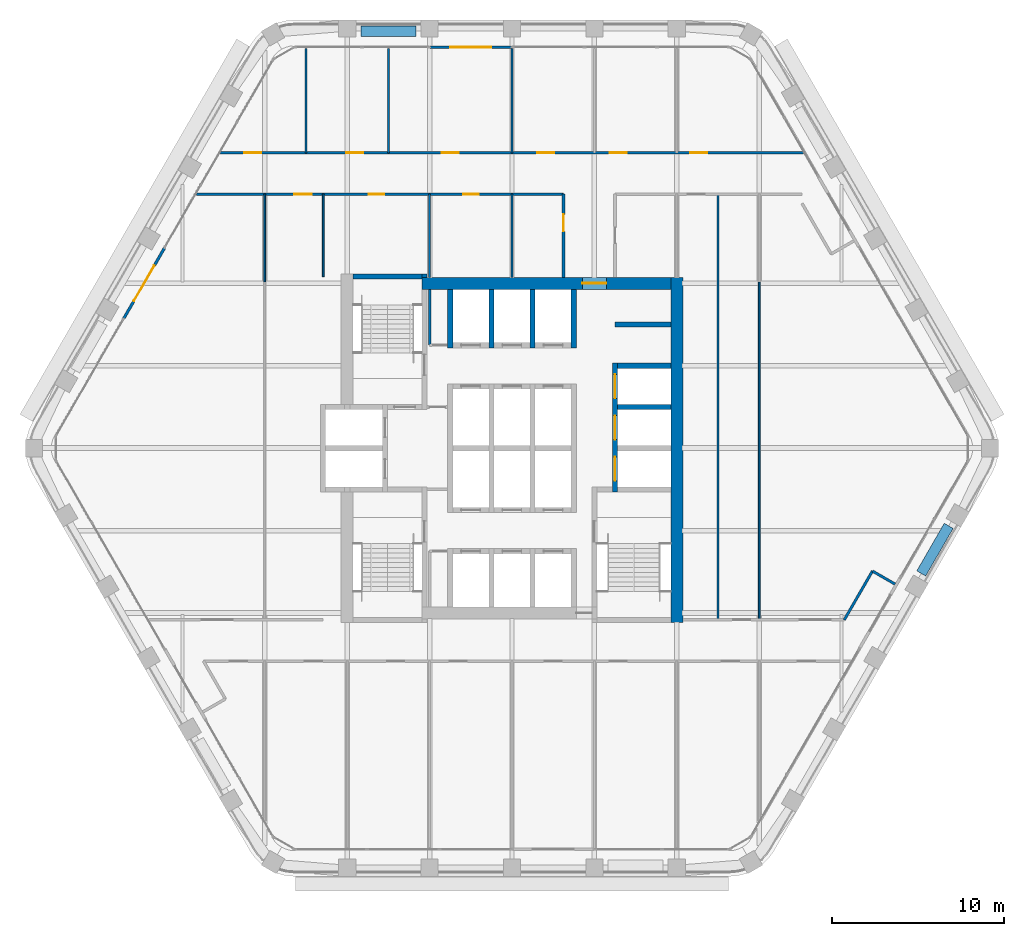
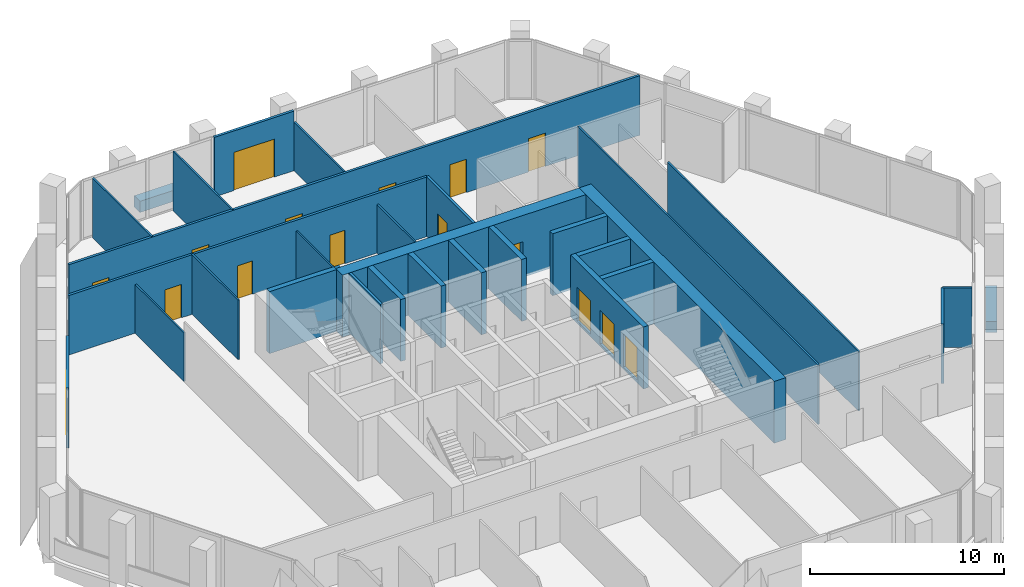
# One storey, part 11 of 15: 31 walls, 16 doors, 16 openings.
"""IFC4 building model written with IfcOpenShell, lengths in metres."""

from ifc_helpers import new_model, si_unit, direction, frame, frame_2d, origin, place, context, subcontext, project, spatial, rectangle, extrude, material, layer, layer_set, type_object, element, fill, save


model = new_model("IFC4")

# Units and contexts
model_context = context("Model", 3, precision=1e-05, world=origin(), true_north=direction((0.0, 1.0)))
body_context = subcontext(model_context, "Body", "Model", "MODEL_VIEW")
ifc_project = project(units=[si_unit("LENGTHUNIT", "METRE"), si_unit("AREAUNIT", "SQUARE_METRE"), si_unit("VOLUMEUNIT", "CUBIC_METRE"), si_unit("PLANEANGLEUNIT", "RADIAN"), si_unit("MASSUNIT", "GRAM", prefix="KILO")], contexts=[model_context])

# Site, building, storey
site_placement = place(None, origin())
site = spatial("IfcSite", under=ifc_project, at=site_placement, CompositionType="ELEMENT")
building_placement = place(site_placement, origin())
building = spatial("IfcBuilding", under=site, at=building_placement, Name="Kolab Exchange Tower", CompositionType="ELEMENT")
storey_placement = place(building_placement, frame((0.0, 0.0, 185.60009765625)))
storey = spatial("IfcBuildingStorey", under=building, at=storey_placement, Name="L39", CompositionType="ELEMENT", Elevation=185.60009765625)

# Wall, opening, door
ifc_material_1 = material(Name="Concrete C60/75", Category="concrete")
ifc_layer_1 = layer(ifc_material_1, 0.699951171875)
ifc_layer_set_1 = layer_set([ifc_layer_1], Name="Concrete C60/75")
wall_type_1 = type_object("IfcWallType", Name="CORE WALL 700 C60/75", PredefinedType="SHEAR", material=ifc_layer_set_1)
wall_1_placement = place(storey_placement, frame((-5.25, 9.60009765625, -0.150146484375), z_axis=(0.0, 0.0, 1.0), x_axis=(1.0, 0.0, 0.0)))
wall_1 = element("IfcWall", 1, at=wall_1_placement, inside=storey, type_object=wall_type_1, Name="wall/L39/core/031", PredefinedType="SHEAR", context=body_context, shape_type="SweptSolid", body=[
    extrude(rectangle(XDim=14.5, YDim=0.699951171875, at=frame_2d((7.25, 0.0))), origin(), (0.0, 0.0, 1.0), 3.900146484375),
])
opening_1_placement = place(wall_1_placement, frame((9.35009765625, 0.0, 0.14990234375)))
opening_1 = element("IfcOpeningElement", 2, at=opening_1_placement, cuts=wall_1, Name="Opening D5-010", PredefinedType="OPENING", context=body_context, shape_type="SweptSolid", body=[
    extrude(rectangle(XDim=1.39990234375, YDim=2.10009765625, at=frame_2d((0.699951171875, 1.050048828125))), frame((0.0, 0.35986328125, 0.0), z_axis=(0.0, -1.0, 0.0), x_axis=(1.0, 0.0, 0.0)), (0.0, 0.0, 1.0), 0.719970703125),
])
ifc_material_2 = material(Name="Steel S235", Category="steel")
door_type_1 = type_object("IfcDoorType", Name="CORE DOOR 1400 EI 120", OperationType="DOUBLE_DOOR_SINGLE_SWING", PredefinedType="DOOR", material=ifc_material_2)
door_1_placement = place(opening_1_placement, frame((1.39990234375, 0.0, 0.0), z_axis=(0.0, 0.0, 1.0), x_axis=(-1.0, 0.0, 0.0)))
door_1 = element("IfcDoor", 3, at=door_1_placement, inside=storey, type_object=door_type_1, Name="Core lobby door", OperationType="SINGLE_SWING_LEFT", OverallHeight=2.10009765625, OverallWidth=1.39990234375, PredefinedType="DOOR", context=body_context, shape_type="SweptSolid", body=[
    extrude(rectangle(XDim=1.39990234375, YDim=2.10009765625, at=frame_2d((0.699951171875, 1.050048828125))), frame((0.0, 0.02490234375, 0.0), z_axis=(0.0, -1.0, 0.0), x_axis=(1.0, 0.0, 0.0)), (0.0, 0.0, 1.0), 0.050048828125),
])
fill(opening_1, door_1)

# Wall
wall_2_placement = place(storey_placement, frame((9.60009765625, -10.14990234375, -0.150146484375), z_axis=(0.0, 0.0, 1.0), x_axis=(0.0, 1.0, 0.0)))
element("IfcWall", 4, at=wall_2_placement, inside=storey, type_object=wall_type_1, Name="wall/L39/core/058", PredefinedType="SHEAR", context=body_context, shape_type="SweptSolid", body=[
    extrude(rectangle(XDim=20.099853515625, YDim=0.699951171875, at=frame_2d((10.0498046875, 0.0))), origin(), (0.0, 0.0, 1.0), 3.900146484375),
])

# Wall, opening, door
ifc_material_3 = material(Name="Aluminium EN AW-6063 T6", Category="aluminium")
ifc_layer_2 = layer(ifc_material_3, 0.159912109375)
ifc_layer_set_2 = layer_set([ifc_layer_2], Name="Aluminium EN AW-6063 T6")
wall_type_2 = type_object("IfcWallType", Name="DOOR SURROUND WALL 160 ALUMINIUM FRAMED", PredefinedType="PARTITIONING", material=ifc_layer_set_2)
wall_3_placement = place(storey_placement, frame((-4.77001953125, 23.361572265625, 0.0), z_axis=(0.0, 0.0, 1.0), x_axis=(1.0, 0.0, 0.0)))
wall_3 = element("IfcWall", 5, at=wall_3_placement, inside=storey, type_object=wall_type_2, Name="Door surround wall", PredefinedType="PARTITIONING", context=body_context, shape_type="SweptSolid", body=[
    extrude(rectangle(XDim=4.739990234375, YDim=0.159912109375, at=frame_2d((2.3701171875, 0.0))), origin(), (0.0, 0.0, 1.0), 3.75),
])
opening_2_placement = place(wall_3_placement, frame((1.169921875, 0.0, 0.0)))
opening_2 = element("IfcOpeningElement", 6, at=opening_2_placement, cuts=wall_3, Name="Opening GD1-064", PredefinedType="OPENING", context=body_context, shape_type="SweptSolid", body=[
    extrude(rectangle(XDim=2.39990234375, YDim=2.39990234375, at=frame_2d((1.199951171875, 1.199951171875))), frame((0.0, 0.08984375, 0.0), z_axis=(0.0, -1.0, 0.0), x_axis=(1.0, 0.0, 0.0)), (0.0, 0.0, 1.0), 0.179931640625),
])
door_type_2 = type_object("IfcDoorType", Name="LOGGIA SLIDING GLASS DOOR 2400 X 2400", OperationType="DOUBLE_DOOR_SINGLE_SWING", PredefinedType="DOOR", material=ifc_material_3)
door_2_placement = place(opening_2_placement, origin())
door_2 = element("IfcDoor", 7, at=door_2_placement, inside=storey, type_object=door_type_2, Name="Loggia door", OperationType="DOUBLE_DOOR_SLIDING", OverallHeight=2.39990234375, OverallWidth=2.39990234375, PredefinedType="DOOR", context=body_context, shape_type="SweptSolid", body=[
    extrude(rectangle(XDim=2.39990234375, YDim=2.39990234375, at=frame_2d((1.199951171875, 1.199951171875))), frame((0.0, 0.02490234375, 0.0), z_axis=(0.0, -1.0, 0.0), x_axis=(1.0, 0.0, 0.0)), (0.0, 0.0, 1.0), 0.050048828125),
])
fill(opening_2, door_2)

wall_4_placement = place(storey_placement, frame((-22.61669921875, 7.5498046875, 0.0), z_axis=(0.0, 0.0, 1.0), x_axis=(0.5000167099, 0.866015756104, 0.0)))
wall_4 = element("IfcWall", 8, at=wall_4_placement, inside=storey, type_object=wall_type_2, Name="Door surround wall", PredefinedType="PARTITIONING", context=body_context, shape_type="SweptSolid", body=[
    extrude(rectangle(XDim=4.739990234375, YDim=0.159912109375, at=frame_2d((2.3701171875, 0.0))), origin(), (0.0, 0.0, 1.0), 3.75),
])
opening_3_placement = place(wall_4_placement, frame((1.169921875, 0.0, 0.0)))
opening_3 = element("IfcOpeningElement", 9, at=opening_3_placement, cuts=wall_4, Name="Opening GD1-069", PredefinedType="OPENING", context=body_context, shape_type="SweptSolid", body=[
    extrude(rectangle(XDim=2.39990234375, YDim=2.39990234375, at=frame_2d((1.199951171875, 1.199951171875))), frame((0.0, 0.08984375, 0.0), z_axis=(0.0, -1.0, 0.0), x_axis=(1.0, 0.0, 0.0)), (0.0, 0.0, 1.0), 0.179931640625),
])
door_3_placement = place(opening_3_placement, origin())
door_3 = element("IfcDoor", 10, at=door_3_placement, inside=storey, type_object=door_type_2, Name="Loggia door", OperationType="DOUBLE_DOOR_SLIDING", OverallHeight=2.39990234375, OverallWidth=2.39990234375, PredefinedType="DOOR", context=body_context, shape_type="SweptSolid", body=[
    extrude(rectangle(XDim=2.39990234375, YDim=2.39990234375, at=frame_2d((1.199951171875, 1.199951171875))), frame((0.0, 0.02490234375, 0.0), z_axis=(0.0, -1.0, 0.0), x_axis=(1.0, 0.0, 0.0)), (0.0, 0.0, 1.0), 0.050048828125),
])
fill(opening_3, door_3)

# Walls
ifc_material_4 = material(Name="Concrete C50/60", Category="concrete")
ifc_layer_3 = layer(ifc_material_4, 0.300048828125)
ifc_layer_set_3 = layer_set([ifc_layer_3], Name="Concrete C50/60")
wall_type_3 = type_object("IfcWallType", Name="LIFT SHAFT WALL 300 C50/60", PredefinedType="STANDARD", material=ifc_layer_set_3)
for number, where, z_axis, x_axis, name in (
    (11, (6.14990234375, 2.39990234375, -0.150146484375), (0.0, 0.0, 1.0), (1.0, 0.0, 0.0), "wall/L39/core/022"),
    (12, (6.14990234375, 4.800048828125, -0.150146484375), (0.0, 0.0, 1.0), (1.0, 0.0, 0.0), "wall/L39/core/026"),
):
    element("IfcWall", number, at=place(storey_placement, frame(where, z_axis=z_axis, x_axis=x_axis)), inside=storey, type_object=wall_type_3, Name=name, PredefinedType="STANDARD", context=body_context, shape_type="SweptSolid", body=[
        extrude(rectangle(XDim=3.10009765625, YDim=0.300048828125, at=frame_2d((1.550048828125, 0.0))), origin(), (0.0, 0.0, 1.0), 3.900146484375),
    ])
wall_5_placement = place(storey_placement, frame((6.0, 7.199951171875, -0.150146484375), z_axis=(0.0, 0.0, 1.0), x_axis=(1.0, 0.0, 0.0)))
element("IfcWall", 13, at=wall_5_placement, inside=storey, type_object=wall_type_3, Name="wall/L39/core/030", PredefinedType="STANDARD", context=body_context, shape_type="SweptSolid", body=[
    extrude(rectangle(XDim=3.25, YDim=0.300048828125, at=frame_2d((1.625, 0.0))), origin(), (0.0, 0.0, 1.0), 3.900146484375),
])
for number, where, z_axis, x_axis, name in (
    (14, (-3.60009765625, 5.85009765625, -0.150146484375), (0.0, 0.0, 1.0), (0.0, 1.0, 0.0), "wall/L39/core/045"),
    (15, (-1.199951171875, 5.85009765625, -0.150146484375), (0.0, 0.0, 1.0), (0.0, 1.0, 0.0), "wall/L39/core/048"),
    (16, (1.199951171875, 5.85009765625, -0.150146484375), (0.0, 0.0, 1.0), (0.0, 1.0, 0.0), "wall/L39/core/051"),
    (17, (3.60009765625, 5.85009765625, -0.150146484375), (0.0, 0.0, 1.0), (0.0, 1.0, 0.0), "wall/L39/core/054"),
):
    element("IfcWall", number, at=place(storey_placement, frame(where, z_axis=z_axis, x_axis=x_axis)), inside=storey, type_object=wall_type_3, Name=name, PredefinedType="STANDARD", context=body_context, shape_type="SweptSolid", body=[
        extrude(rectangle(XDim=3.39990234375, YDim=0.300048828125, at=frame_2d((1.699951171875, 0.0))), origin(), (0.0, 0.0, 1.0), 3.900146484375),
    ])

# Wall, openings, doors
wall_6_placement = place(storey_placement, frame((6.0, -2.550048828125, -0.150146484375), z_axis=(0.0, 0.0, 1.0), x_axis=(0.0, 1.0, 0.0)))
wall_6 = element("IfcWall", 18, at=wall_6_placement, inside=storey, type_object=wall_type_3, Name="wall/L39/core/057", PredefinedType="STANDARD", context=body_context, shape_type="SweptSolid", body=[
    extrude(rectangle(XDim=7.5, YDim=0.300048828125, at=frame_2d((3.75, 0.0))), origin(), (0.0, 0.0, 1.0), 3.900146484375),
])
opening_4_placement = place(wall_6_placement, frame((0.64990234375, 0.0, 0.14990234375)))
opening_4 = element("IfcOpeningElement", 19, at=opening_4_placement, cuts=wall_6, Name="Opening LD3-037", PredefinedType="OPENING", context=body_context, shape_type="SweptSolid", body=[
    extrude(rectangle(XDim=1.39990234375, YDim=2.10009765625, at=frame_2d((0.699951171875, 1.050048828125))), frame((0.0, 0.16015625, 0.0), z_axis=(0.0, -1.0, 0.0), x_axis=(1.0, 0.0, 0.0)), (0.0, 0.0, 1.0), 0.320068359375),
])
opening_5_placement = place(wall_6_placement, frame((3.050048828125, 0.0, 0.14990234375)))
opening_5 = element("IfcOpeningElement", 20, at=opening_5_placement, cuts=wall_6, Name="Opening LD3-038", PredefinedType="OPENING", context=body_context, shape_type="SweptSolid", body=[
    extrude(rectangle(XDim=1.39990234375, YDim=2.10009765625, at=frame_2d((0.699951171875, 1.050048828125))), frame((0.0, 0.16015625, 0.0), z_axis=(0.0, -1.0, 0.0), x_axis=(1.0, 0.0, 0.0)), (0.0, 0.0, 1.0), 0.320068359375),
])
opening_6_placement = place(wall_6_placement, frame((5.449951171875, 0.0, 0.14990234375)))
opening_6 = element("IfcOpeningElement", 21, at=opening_6_placement, cuts=wall_6, Name="Opening LD3-039", PredefinedType="OPENING", context=body_context, shape_type="SweptSolid", body=[
    extrude(rectangle(XDim=1.39990234375, YDim=2.10009765625, at=frame_2d((0.699951171875, 1.050048828125))), frame((0.0, 0.16015625, 0.0), z_axis=(0.0, -1.0, 0.0), x_axis=(1.0, 0.0, 0.0)), (0.0, 0.0, 1.0), 0.320068359375),
])
ifc_material_5 = material(Name="Stainless steel 316", Category="steel")
door_type_3 = type_object("IfcDoorType", Name="LANDING DOOR 1400 SERVICE", OperationType="DOUBLE_DOOR_SLIDING", PredefinedType="DOOR", material=ifc_material_5)
door_4_placement = place(opening_4_placement, origin())
door_4 = element("IfcDoor", 22, at=door_4_placement, inside=storey, type_object=door_type_3, Name="Landing door SV1", OperationType="DOUBLE_DOOR_SLIDING", OverallHeight=2.10009765625, OverallWidth=1.39990234375, PredefinedType="DOOR", context=body_context, shape_type="SweptSolid", body=[
    extrude(rectangle(XDim=1.39990234375, YDim=2.10009765625, at=frame_2d((0.699951171875, 1.050048828125))), frame((0.0, 0.02490234375, 0.0), z_axis=(0.0, -1.0, 0.0), x_axis=(1.0, 0.0, 0.0)), (0.0, 0.0, 1.0), 0.050048828125),
])
fill(opening_4, door_4)
door_5_placement = place(opening_5_placement, origin())
door_5 = element("IfcDoor", 23, at=door_5_placement, inside=storey, type_object=door_type_3, Name="Landing door SV2", OperationType="DOUBLE_DOOR_SLIDING", OverallHeight=2.10009765625, OverallWidth=1.39990234375, PredefinedType="DOOR", context=body_context, shape_type="SweptSolid", body=[
    extrude(rectangle(XDim=1.39990234375, YDim=2.10009765625, at=frame_2d((0.699951171875, 1.050048828125))), frame((0.0, 0.02490234375, 0.0), z_axis=(0.0, -1.0, 0.0), x_axis=(1.0, 0.0, 0.0)), (0.0, 0.0, 1.0), 0.050048828125),
])
fill(opening_5, door_5)
door_6_placement = place(opening_6_placement, origin())
door_6 = element("IfcDoor", 24, at=door_6_placement, inside=storey, type_object=door_type_3, Name="Landing door SV3", OperationType="DOUBLE_DOOR_SLIDING", OverallHeight=2.10009765625, OverallWidth=1.39990234375, PredefinedType="DOOR", context=body_context, shape_type="SweptSolid", body=[
    extrude(rectangle(XDim=1.39990234375, YDim=2.10009765625, at=frame_2d((0.699951171875, 1.050048828125))), frame((0.0, 0.02490234375, 0.0), z_axis=(0.0, -1.0, 0.0), x_axis=(1.0, 0.0, 0.0)), (0.0, 0.0, 1.0), 0.050048828125),
])
fill(opening_6, door_6)

# Walls
ifc_material_6 = material(Name="Gypsum board", Category="gypsum")
ifc_layer_4 = layer(ifc_material_6, 0.10009765625)
ifc_layer_set_4 = layer_set([ifc_layer_4], Name="Gypsum board")
wall_type_4 = type_object("IfcWallType", Name="PARTITION 100", PredefinedType="PARTITIONING", material=ifc_layer_set_4)
wall_7_placement = place(storey_placement, frame((14.39990234375, -10.0, 0.0), z_axis=(0.0, 0.0, 1.0), x_axis=(0.0, 1.0, 0.0)))
element("IfcWall", 25, at=wall_7_placement, inside=storey, type_object=wall_type_4, Name="Partition 001", PredefinedType="PARTITIONING", context=body_context, shape_type="SweptSolid", body=[
    extrude(rectangle(XDim=19.693603515625, YDim=0.10009765625, at=frame_2d((9.8466796875, 0.0))), origin(), (0.0, 0.0, 1.0), 3.75),
])
wall_8_placement = place(storey_placement, frame((12.0, -10.0, 0.0), z_axis=(0.0, 0.0, 1.0), x_axis=(0.0, 1.0, 0.0)))
element("IfcWall", 26, at=wall_8_placement, inside=storey, type_object=wall_type_4, Name="Partition 002", PredefinedType="PARTITIONING", context=body_context, shape_type="SweptSolid", body=[
    extrude(rectangle(XDim=24.800048828125, YDim=0.10009765625, at=frame_2d((12.39990234375, 0.0))), origin(), (0.0, 0.0, 1.0), 3.75),
])
wall_9_placement = place(storey_placement, frame((0.0, 9.949951171875, 0.0), z_axis=(0.0, 0.0, 1.0), x_axis=(0.0, 1.0, 0.0)))
element("IfcWall", 27, at=wall_9_placement, inside=storey, type_object=wall_type_4, Name="Partition 011", PredefinedType="PARTITIONING", context=body_context, shape_type="SweptSolid", body=[
    extrude(rectangle(XDim=4.85009765625, YDim=0.10009765625, at=frame_2d((2.425048828125, 0.0))), origin(), (0.0, 0.0, 1.0), 3.06591796875),
])
wall_10_placement = place(storey_placement, frame((0.0, 17.199951171875, 0.0), z_axis=(0.0, 0.0, 1.0), x_axis=(0.0, 1.0, 0.0)))
element("IfcWall", 28, at=wall_10_placement, inside=storey, type_object=wall_type_4, Name="Partition 012", PredefinedType="PARTITIONING", context=body_context, shape_type="SweptSolid", body=[
    extrude(rectangle(XDim=6.08154296875, YDim=0.10009765625, at=frame_2d((3.040771484375, 0.0))), origin(), (0.0, 0.0, 1.0), 3.06591796875),
])
wall_11_placement = place(storey_placement, frame((-4.800048828125, 9.949951171875, 0.0), z_axis=(0.0, 0.0, 1.0), x_axis=(0.0, 1.0, 0.0)))
element("IfcWall", 29, at=wall_11_placement, inside=storey, type_object=wall_type_4, Name="Partition 014", PredefinedType="PARTITIONING", context=body_context, shape_type="SweptSolid", body=[
    extrude(rectangle(XDim=4.85009765625, YDim=0.10009765625, at=frame_2d((2.425048828125, 0.0))), origin(), (0.0, 0.0, 1.0), 3.06591796875),
])
wall_12_placement = place(storey_placement, frame((-7.199951171875, 17.199951171875, 0.0), z_axis=(0.0, 0.0, 1.0), x_axis=(0.0, 1.0, 0.0)))
element("IfcWall", 30, at=wall_12_placement, inside=storey, type_object=wall_type_4, Name="Partition 017", PredefinedType="PARTITIONING", context=body_context, shape_type="SweptSolid", body=[
    extrude(rectangle(XDim=6.071533203125, YDim=0.10009765625, at=frame_2d((3.03564453125, 0.0))), origin(), (0.0, 0.0, 1.0), 3.75),
])
wall_13_placement = place(storey_placement, frame((-11.0, 10.0, 0.0), z_axis=(0.0, 0.0, 1.0), x_axis=(0.0, 1.0, 0.0)))
element("IfcWall", 31, at=wall_13_placement, inside=storey, type_object=wall_type_4, Name="Partition 019", PredefinedType="PARTITIONING", context=body_context, shape_type="SweptSolid", body=[
    extrude(rectangle(XDim=4.800048828125, YDim=0.10009765625, at=frame_2d((2.39990234375, 0.0))), origin(), (0.0, 0.0, 1.0), 3.75),
])
wall_14_placement = place(storey_placement, frame((-12.0, 17.199951171875, 0.0), z_axis=(0.0, 0.0, 1.0), x_axis=(0.0, 1.0, 0.0)))
element("IfcWall", 32, at=wall_14_placement, inside=storey, type_object=wall_type_4, Name="Partition 020", PredefinedType="PARTITIONING", context=body_context, shape_type="SweptSolid", body=[
    extrude(rectangle(XDim=6.071533203125, YDim=0.10009765625, at=frame_2d((3.03564453125, 0.0))), origin(), (0.0, 0.0, 1.0), 3.75),
])
wall_15_placement = place(storey_placement, frame((-14.39990234375, 9.693603515625, 0.0), z_axis=(0.0, 0.0, 1.0), x_axis=(0.0, 1.0, 0.0)))
element("IfcWall", 33, at=wall_15_placement, inside=storey, type_object=wall_type_4, Name="Partition 022", PredefinedType="PARTITIONING", context=body_context, shape_type="SweptSolid", body=[
    extrude(rectangle(XDim=5.1064453125, YDim=0.10009765625, at=frame_2d((2.55322265625, 0.0))), origin(), (0.0, 0.0, 1.0), 3.06591796875),
])

# Wall, opening, door
ifc_layer_5 = layer(ifc_material_6, 0.14990234375)
ifc_layer_set_5 = layer_set([ifc_layer_5], Name="Gypsum board")
wall_type_5 = type_object("IfcWallType", Name="PARTITION 150 FIRE-RATED", PredefinedType="PARTITIONING", material=ifc_layer_set_5)
wall_16_placement = place(storey_placement, frame((3.0, 9.949951171875, 0.0), z_axis=(0.0, 0.0, 1.0), x_axis=(0.0, 1.0, 0.0)))
wall_16 = element("IfcWall", 34, at=wall_16_placement, inside=storey, type_object=wall_type_5, Name="Partition 009", PredefinedType="PARTITIONING", context=body_context, shape_type="SweptSolid", body=[
    extrude(rectangle(XDim=4.85009765625, YDim=0.14990234375, at=frame_2d((2.425048828125, 0.0))), origin(), (0.0, 0.0, 1.0), 3.75),
])
opening_7_placement = place(wall_16_placement, frame((2.675048828125, 0.0, 0.0)))
opening_7 = element("IfcOpeningElement", 35, at=opening_7_placement, cuts=wall_16, Name="Opening D1-519", PredefinedType="OPENING", context=body_context, shape_type="SweptSolid", body=[
    extrude(rectangle(XDim=1.0, YDim=2.10009765625, at=frame_2d((0.5, 1.050048828125))), frame((0.0, 0.0849609375, 0.0), z_axis=(0.0, -1.0, 0.0), x_axis=(1.0, 0.0, 0.0)), (0.0, 0.0, 1.0), 0.169921875),
])
door_type_4 = type_object("IfcDoorType", Name="FLUSH DOOR 1000 FD60", OperationType="SINGLE_SWING_LEFT", PredefinedType="DOOR", material=ifc_material_2)
door_7_placement = place(opening_7_placement, origin())
door_7 = element("IfcDoor", 36, at=door_7_placement, inside=storey, type_object=door_type_4, Name="Door L39-033", OperationType="SINGLE_SWING_RIGHT", OverallHeight=2.10009765625, OverallWidth=1.0, PredefinedType="DOOR", context=body_context, shape_type="SweptSolid", body=[
    extrude(rectangle(XDim=1.0, YDim=2.10009765625, at=frame_2d((0.5, 1.050048828125))), frame((0.0, 0.02490234375, 0.0), z_axis=(0.0, -1.0, 0.0), x_axis=(1.0, 0.0, 0.0)), (0.0, 0.0, 1.0), 0.050048828125),
])
fill(opening_7, door_7)

# Walls
wall_17_placement = place(storey_placement, frame((-4.800048828125, 6.0, 0.0), z_axis=(0.0, 0.0, 1.0), x_axis=(0.0, 1.0, 0.0)))
element("IfcWall", 37, at=wall_17_placement, inside=storey, type_object=wall_type_5, Name="Partition 016", PredefinedType="PARTITIONING", context=body_context, shape_type="SweptSolid", body=[
    extrude(rectangle(XDim=3.25, YDim=0.14990234375, at=frame_2d((1.625, 0.0))), origin(), (0.0, 0.0, 1.0), 3.75),
])
wall_18_placement = place(storey_placement, frame((19.3544921875, -10.0, 0.0), z_axis=(0.0, 0.0, 1.0), x_axis=(0.500009969958, 0.86601964755, 0.0)))
element("IfcWall", 38, at=wall_18_placement, inside=storey, type_object=wall_type_5, Name="Partition 025", PredefinedType="PARTITIONING", context=body_context, shape_type="SweptSolid", body=[
    extrude(rectangle(XDim=3.283203125, YDim=0.14990234375, at=frame_2d((1.6416015625, 0.0))), origin(), (0.0, 0.0, 1.0), 3.75),
])
wall_19_placement = place(storey_placement, frame((20.99609375, -7.15673828125, 0.0), z_axis=(0.0, 0.0, 1.0), x_axis=(0.865960906633, -0.500111695708, 0.0)))
element("IfcWall", 39, at=wall_19_placement, inside=storey, type_object=wall_type_5, Name="Partition 026", PredefinedType="PARTITIONING", context=body_context, shape_type="SweptSolid", body=[
    extrude(rectangle(XDim=1.520263671875, YDim=0.14990234375, at=frame_2d((0.76025390625, 0.0))), origin(), (0.0, 0.0, 1.0), 3.75),
])

# Wall, openings, doors
wall_20_placement = place(storey_placement, frame((-18.384521484375, 14.800048828125, 0.0), z_axis=(0.0, 0.0, 1.0), x_axis=(1.0, 0.0, 0.0)))
wall_20 = element("IfcWall", 40, at=wall_20_placement, inside=storey, type_object=wall_type_5, Name="Partition 034", PredefinedType="PARTITIONING", context=body_context, shape_type="SweptSolid", body=[
    extrude(rectangle(XDim=21.384521484375, YDim=0.14990234375, at=frame_2d((10.6923828125, 0.0))), origin(), (0.0, 0.0, 1.0), 3.75),
])
opening_8_placement = place(wall_20_placement, frame((10.03466796875, 0.0, 0.0)))
opening_8 = element("IfcOpeningElement", 41, at=opening_8_placement, cuts=wall_20, Name="Opening D3-055", PredefinedType="OPENING", context=body_context, shape_type="SweptSolid", body=[
    extrude(rectangle(XDim=0.89990234375, YDim=2.10009765625, at=frame_2d((0.449951171875, 1.050048828125))), frame((0.0, 0.0849609375, 0.0), z_axis=(0.0, -1.0, 0.0), x_axis=(1.0, 0.0, 0.0)), (0.0, 0.0, 1.0), 0.169921875),
])
opening_9_placement = place(wall_20_placement, frame((15.53466796875, 0.0, 0.0)))
opening_9 = element("IfcOpeningElement", 42, at=opening_9_placement, cuts=wall_20, Name="Opening D3-056", PredefinedType="OPENING", context=body_context, shape_type="SweptSolid", body=[
    extrude(rectangle(XDim=0.89990234375, YDim=2.10009765625, at=frame_2d((0.449951171875, 1.050048828125))), frame((0.0, 0.0849609375, 0.0), z_axis=(0.0, -1.0, 0.0), x_axis=(1.0, 0.0, 0.0)), (0.0, 0.0, 1.0), 0.169921875),
])
opening_10_placement = place(wall_20_placement, frame((5.709716796875, 0.0, 0.0)))
opening_10 = element("IfcOpeningElement", 43, at=opening_10_placement, cuts=wall_20, Name="Opening D1-536", PredefinedType="OPENING", context=body_context, shape_type="SweptSolid", body=[
    extrude(rectangle(XDim=1.0, YDim=2.10009765625, at=frame_2d((0.5, 1.050048828125))), frame((0.0, 0.0849609375, 0.0), z_axis=(0.0, -1.0, 0.0), x_axis=(1.0, 0.0, 0.0)), (0.0, 0.0, 1.0), 0.169921875),
])
door_8_placement = place(opening_10_placement, frame((1.0, 0.0, 0.0), z_axis=(0.0, 0.0, 1.0), x_axis=(-1.0, 0.0, 0.0)))
door_8 = element("IfcDoor", 44, at=door_8_placement, inside=storey, type_object=door_type_4, Name="Door L39-052", OperationType="SINGLE_SWING_RIGHT", OverallHeight=2.10009765625, OverallWidth=1.0, PredefinedType="DOOR", context=body_context, shape_type="SweptSolid", body=[
    extrude(rectangle(XDim=1.0, YDim=2.10009765625, at=frame_2d((0.5, 1.050048828125))), frame((0.0, 0.02490234375, 0.0), z_axis=(0.0, -1.0, 0.0), x_axis=(1.0, 0.0, 0.0)), (0.0, 0.0, 1.0), 0.050048828125),
])
fill(opening_10, door_8)
door_type_5 = type_object("IfcDoorType", Name="FLUSH DOOR 900 FD60", OperationType="SINGLE_SWING_LEFT", PredefinedType="DOOR", material=ifc_material_2)
door_9_placement = place(opening_8_placement, frame((0.89990234375, 0.0, 0.0), z_axis=(0.0, 0.0, 1.0), x_axis=(-1.0, 0.0, 0.0)))
door_9 = element("IfcDoor", 45, at=door_9_placement, inside=storey, type_object=door_type_5, Name="Door L39-031", OperationType="SINGLE_SWING_LEFT", OverallHeight=2.10009765625, OverallWidth=0.89990234375, PredefinedType="DOOR", context=body_context, shape_type="SweptSolid", body=[
    extrude(rectangle(XDim=0.89990234375, YDim=2.10009765625, at=frame_2d((0.449951171875, 1.050048828125))), frame((0.0, 0.02490234375, 0.0), z_axis=(0.0, -1.0, 0.0), x_axis=(1.0, 0.0, 0.0)), (0.0, 0.0, 1.0), 0.050048828125),
])
fill(opening_8, door_9)
door_10_placement = place(opening_9_placement, frame((0.89990234375, 0.0, 0.0), z_axis=(0.0, 0.0, 1.0), x_axis=(-1.0, 0.0, 0.0)))
door_10 = element("IfcDoor", 46, at=door_10_placement, inside=storey, type_object=door_type_5, Name="Door L39-032", OperationType="SINGLE_SWING_LEFT", OverallHeight=2.10009765625, OverallWidth=0.89990234375, PredefinedType="DOOR", context=body_context, shape_type="SweptSolid", body=[
    extrude(rectangle(XDim=0.89990234375, YDim=2.10009765625, at=frame_2d((0.449951171875, 1.050048828125))), frame((0.0, 0.02490234375, 0.0), z_axis=(0.0, -1.0, 0.0), x_axis=(1.0, 0.0, 0.0)), (0.0, 0.0, 1.0), 0.050048828125),
])
fill(opening_9, door_10)

wall_21_placement = place(storey_placement, frame((-16.9990234375, 17.199951171875, 0.0), z_axis=(0.0, 0.0, 1.0), x_axis=(1.0, 0.0, 0.0)))
wall_21 = element("IfcWall", 47, at=wall_21_placement, inside=storey, type_object=wall_type_5, Name="Partition 036", PredefinedType="PARTITIONING", context=body_context, shape_type="SweptSolid", body=[
    extrude(rectangle(XDim=33.998046875, YDim=0.14990234375, at=frame_2d((16.9990234375, 0.0))), origin(), (0.0, 0.0, 1.0), 3.75),
])
opening_11_placement = place(wall_21_placement, frame((1.399658203125, 0.0, 0.0)))
opening_11 = element("IfcOpeningElement", 48, at=opening_11_placement, cuts=wall_21, Name="Opening D1-520", PredefinedType="OPENING", context=body_context, shape_type="SweptSolid", body=[
    extrude(rectangle(XDim=1.0, YDim=2.10009765625, at=frame_2d((0.5, 1.050048828125))), frame((0.0, 0.0849609375, 0.0), z_axis=(0.0, -1.0, 0.0), x_axis=(1.0, 0.0, 0.0)), (0.0, 0.0, 1.0), 0.169921875),
])
opening_12_placement = place(wall_21_placement, frame((7.333984375, 0.0, 0.0)))
opening_12 = element("IfcOpeningElement", 49, at=opening_12_placement, cuts=wall_21, Name="Opening D1-521", PredefinedType="OPENING", context=body_context, shape_type="SweptSolid", body=[
    extrude(rectangle(XDim=1.0, YDim=2.10009765625, at=frame_2d((0.5, 1.050048828125))), frame((0.0, 0.0849609375, 0.0), z_axis=(0.0, -1.0, 0.0), x_axis=(1.0, 0.0, 0.0)), (0.0, 0.0, 1.0), 0.169921875),
])
opening_13_placement = place(wall_21_placement, frame((12.89892578125, 0.0, 0.0)))
opening_13 = element("IfcOpeningElement", 50, at=opening_13_placement, cuts=wall_21, Name="Opening D1-522", PredefinedType="OPENING", context=body_context, shape_type="SweptSolid", body=[
    extrude(rectangle(XDim=1.0, YDim=2.10009765625, at=frame_2d((0.5, 1.050048828125))), frame((0.0, 0.0849609375, 0.0), z_axis=(0.0, -1.0, 0.0), x_axis=(1.0, 0.0, 0.0)), (0.0, 0.0, 1.0), 0.169921875),
])
opening_14_placement = place(wall_21_placement, frame((18.464111328125, 0.0, 0.0)))
opening_14 = element("IfcOpeningElement", 51, at=opening_14_placement, cuts=wall_21, Name="Opening D1-523", PredefinedType="OPENING", context=body_context, shape_type="SweptSolid", body=[
    extrude(rectangle(XDim=1.0, YDim=2.10009765625, at=frame_2d((0.5, 1.050048828125))), frame((0.0, 0.0849609375, 0.0), z_axis=(0.0, -1.0, 0.0), x_axis=(1.0, 0.0, 0.0)), (0.0, 0.0, 1.0), 0.169921875),
])
opening_15_placement = place(wall_21_placement, frame((22.68408203125, 0.0, 0.0)))
opening_15 = element("IfcOpeningElement", 52, at=opening_15_placement, cuts=wall_21, Name="Opening D1-524", PredefinedType="OPENING", context=body_context, shape_type="SweptSolid", body=[
    extrude(rectangle(XDim=1.0, YDim=2.10009765625, at=frame_2d((0.5, 1.050048828125))), frame((0.0, 0.0849609375, 0.0), z_axis=(0.0, -1.0, 0.0), x_axis=(1.0, 0.0, 0.0)), (0.0, 0.0, 1.0), 0.169921875),
])
opening_16_placement = place(wall_21_placement, frame((27.37890625, 0.0, 0.0)))
opening_16 = element("IfcOpeningElement", 53, at=opening_16_placement, cuts=wall_21, Name="Opening D1-525", PredefinedType="OPENING", context=body_context, shape_type="SweptSolid", body=[
    extrude(rectangle(XDim=1.0, YDim=2.10009765625, at=frame_2d((0.5, 1.050048828125))), frame((0.0, 0.0849609375, 0.0), z_axis=(0.0, -1.0, 0.0), x_axis=(1.0, 0.0, 0.0)), (0.0, 0.0, 1.0), 0.169921875),
])
door_11_placement = place(opening_11_placement, origin())
door_11 = element("IfcDoor", 54, at=door_11_placement, inside=storey, type_object=door_type_4, Name="Door L39-034", OperationType="SINGLE_SWING_LEFT", OverallHeight=2.10009765625, OverallWidth=1.0, PredefinedType="DOOR", context=body_context, shape_type="SweptSolid", body=[
    extrude(rectangle(XDim=1.0, YDim=2.10009765625, at=frame_2d((0.5, 1.050048828125))), frame((0.0, 0.02490234375, 0.0), z_axis=(0.0, -1.0, 0.0), x_axis=(1.0, 0.0, 0.0)), (0.0, 0.0, 1.0), 0.050048828125),
])
fill(opening_11, door_11)
door_12_placement = place(opening_12_placement, origin())
door_12 = element("IfcDoor", 55, at=door_12_placement, inside=storey, type_object=door_type_4, Name="Door L39-035", OperationType="SINGLE_SWING_RIGHT", OverallHeight=2.10009765625, OverallWidth=1.0, PredefinedType="DOOR", context=body_context, shape_type="SweptSolid", body=[
    extrude(rectangle(XDim=1.0, YDim=2.10009765625, at=frame_2d((0.5, 1.050048828125))), frame((0.0, 0.02490234375, 0.0), z_axis=(0.0, -1.0, 0.0), x_axis=(1.0, 0.0, 0.0)), (0.0, 0.0, 1.0), 0.050048828125),
])
fill(opening_12, door_12)
door_13_placement = place(opening_13_placement, origin())
door_13 = element("IfcDoor", 56, at=door_13_placement, inside=storey, type_object=door_type_4, Name="Door L39-036", OperationType="SINGLE_SWING_RIGHT", OverallHeight=2.10009765625, OverallWidth=1.0, PredefinedType="DOOR", context=body_context, shape_type="SweptSolid", body=[
    extrude(rectangle(XDim=1.0, YDim=2.10009765625, at=frame_2d((0.5, 1.050048828125))), frame((0.0, 0.02490234375, 0.0), z_axis=(0.0, -1.0, 0.0), x_axis=(1.0, 0.0, 0.0)), (0.0, 0.0, 1.0), 0.050048828125),
])
fill(opening_13, door_13)
door_14_placement = place(opening_14_placement, origin())
door_14 = element("IfcDoor", 57, at=door_14_placement, inside=storey, type_object=door_type_4, Name="Door L39-037", OperationType="SINGLE_SWING_LEFT", OverallHeight=2.10009765625, OverallWidth=1.0, PredefinedType="DOOR", context=body_context, shape_type="SweptSolid", body=[
    extrude(rectangle(XDim=1.0, YDim=2.10009765625, at=frame_2d((0.5, 1.050048828125))), frame((0.0, 0.02490234375, 0.0), z_axis=(0.0, -1.0, 0.0), x_axis=(1.0, 0.0, 0.0)), (0.0, 0.0, 1.0), 0.050048828125),
])
fill(opening_14, door_14)
door_15_placement = place(opening_15_placement, origin())
door_15 = element("IfcDoor", 58, at=door_15_placement, inside=storey, type_object=door_type_4, Name="Door L39-038", OperationType="SINGLE_SWING_LEFT", OverallHeight=2.10009765625, OverallWidth=1.0, PredefinedType="DOOR", context=body_context, shape_type="SweptSolid", body=[
    extrude(rectangle(XDim=1.0, YDim=2.10009765625, at=frame_2d((0.5, 1.050048828125))), frame((0.0, 0.02490234375, 0.0), z_axis=(0.0, -1.0, 0.0), x_axis=(1.0, 0.0, 0.0)), (0.0, 0.0, 1.0), 0.050048828125),
])
fill(opening_15, door_15)
door_16_placement = place(opening_16_placement, origin())
door_16 = element("IfcDoor", 59, at=door_16_placement, inside=storey, type_object=door_type_4, Name="Door L39-039", OperationType="SINGLE_SWING_LEFT", OverallHeight=2.10009765625, OverallWidth=1.0, PredefinedType="DOOR", context=body_context, shape_type="SweptSolid", body=[
    extrude(rectangle(XDim=1.0, YDim=2.10009765625, at=frame_2d((0.5, 1.050048828125))), frame((0.0, 0.02490234375, 0.0), z_axis=(0.0, -1.0, 0.0), x_axis=(1.0, 0.0, 0.0)), (0.0, 0.0, 1.0), 0.050048828125),
])
fill(opening_16, door_16)

# Walls
ifc_material_7 = material(Name="Granite facing", Category="masonry")
ifc_layer_6 = layer(ifc_material_7, 0.0400390625)
ifc_material_8 = material(Name="Concrete C40/50 precast", Category="concrete")
ifc_layer_7 = layer(ifc_material_8, 0.56005859375)
ifc_layer_set_6 = layer_set([ifc_layer_6, ifc_layer_7], Name="Concrete C40/50 precast")
wall_type_6 = type_object("IfcWallType", Name="PLANTER BOX 600 X 700 SOIL DEPTH 550", PredefinedType="USERDEFINED", material=ifc_layer_set_6)
wall_22_placement = place(storey_placement, frame((-8.800048828125, 24.29150390625, 0.0), z_axis=(0.0, 0.0, 1.0), x_axis=(1.0, 0.0, 0.0)))
element("IfcWall", 60, at=wall_22_placement, inside=storey, type_object=wall_type_6, Name="Planter", ObjectType="PLANTER", PredefinedType="USERDEFINED", context=body_context, shape_type="SweptSolid", body=[
    extrude(rectangle(XDim=3.199951171875, YDim=0.60009765625, at=frame_2d((1.60009765625, 0.0))), origin(), (0.0, 0.0, 1.0), 0.699951171875),
])
wall_23_placement = place(storey_placement, frame((25.43701171875, -4.524658203125, 0.0), z_axis=(0.0, 0.0, 1.0), x_axis=(-0.499938187974, -0.866061088033, 0.0)))
element("IfcWall", 61, at=wall_23_placement, inside=storey, type_object=wall_type_6, Name="Planter", ObjectType="PLANTER", PredefinedType="USERDEFINED", context=body_context, shape_type="SweptSolid", body=[
    extrude(rectangle(XDim=3.2001953125, YDim=0.60009765625, at=frame_2d((1.60009765625, 0.0))), origin(), (0.0, 0.0, 1.0), 0.699951171875),
])
ifc_layer_8 = layer(ifc_material_4, 0.300048828125)
ifc_layer_set_7 = layer_set([ifc_layer_8], Name="Concrete C50/60")
wall_type_7 = type_object("IfcWallType", Name="STAIR ENCLOSURE WALL 300 C50/60", PredefinedType="STANDARD", material=ifc_layer_set_7)
wall_24_placement = place(storey_placement, frame((-9.25, 10.0, -0.150146484375), z_axis=(0.0, 0.0, 1.0), x_axis=(1.0, 0.0, 0.0)))
element("IfcWall", 62, at=wall_24_placement, inside=storey, type_object=wall_type_7, Name="wall/L39/core/032", PredefinedType="STANDARD", context=body_context, shape_type="SweptSolid", body=[
    extrude(rectangle(XDim=4.0, YDim=0.300048828125, at=frame_2d((2.0, 0.0))), origin(), (0.0, 0.0, 1.0), 3.900146484375),
])
wall_25_placement = place(storey_placement, frame((-5.10009765625, 9.949951171875, -0.150146484375), z_axis=(0.0, 0.0, 1.0), x_axis=(0.0, 1.0, 0.0)))
element("IfcWall", 63, at=wall_25_placement, inside=storey, type_object=wall_type_7, Name="wall/L39/core/042", PredefinedType="STANDARD", context=body_context, shape_type="SweptSolid", body=[
    extrude(rectangle(XDim=0.199951171875, YDim=0.300048828125, at=frame_2d((0.10009765625, 0.0))), origin(), (0.0, 0.0, 1.0), 3.900146484375),
])

save(model, "model.ifc")
